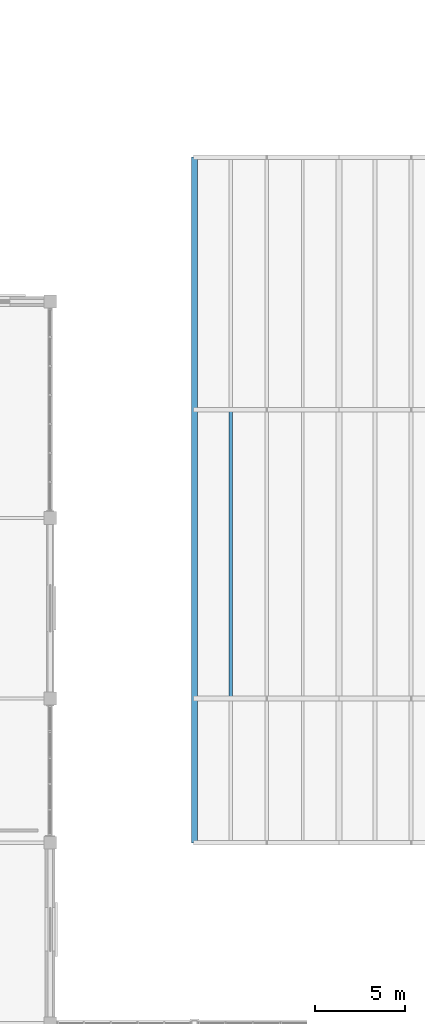
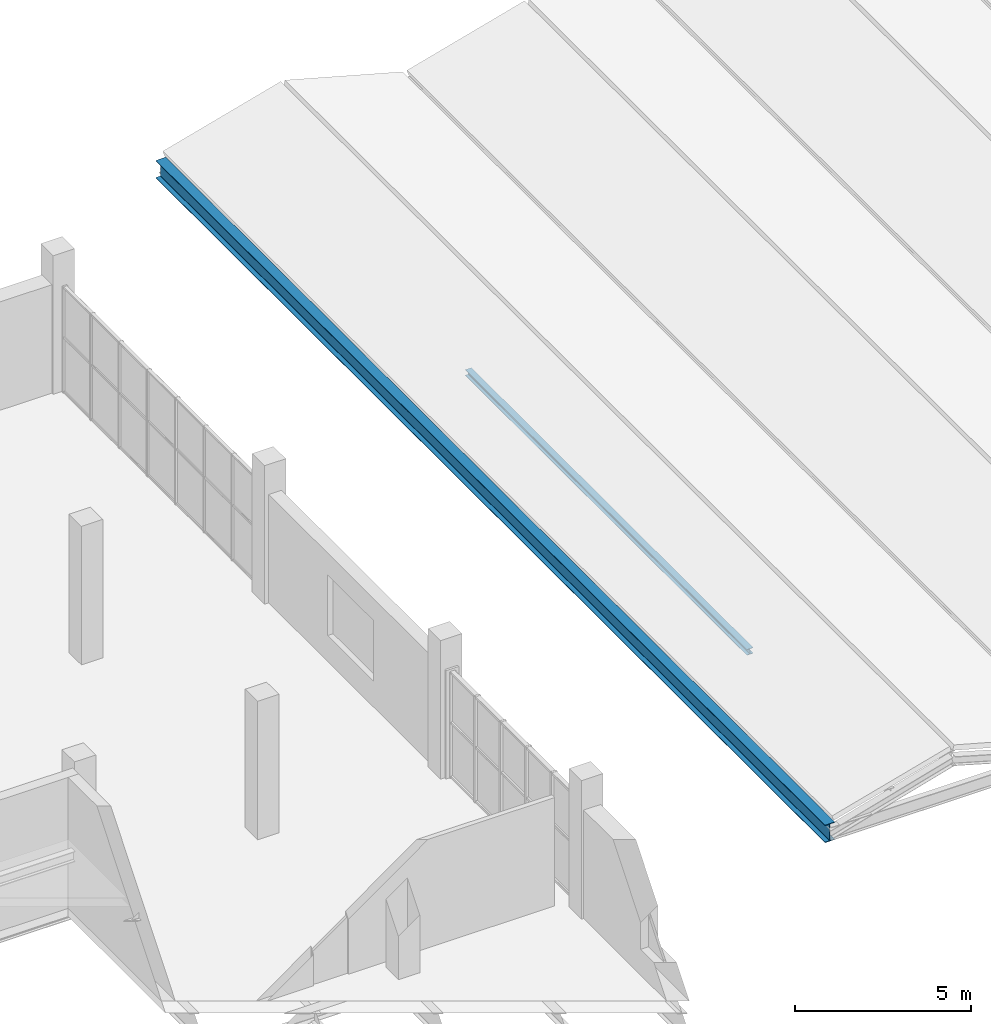
# One storey, part 60 of 114: 1 beam, 1 member.
"""IFC4 building model written with IfcOpenShell, lengths in metres."""

from ifc_helpers import new_model, si_unit, direction, frame, origin, origin_2d, place, context, subcontext, project, spatial, i_section, extrude, material, material_profile, profile_set, type_object, element, save


model = new_model("IFC4")

# Units and contexts
model_context = context("Model", 3, precision=1e-05, world=origin(), true_north=direction((0.0, 1.0)))
body_context = subcontext(model_context, "Body", "Model", "MODEL_VIEW")
ifc_project = project(units=[si_unit("LENGTHUNIT", "METRE"), si_unit("AREAUNIT", "SQUARE_METRE"), si_unit("VOLUMEUNIT", "CUBIC_METRE"), si_unit("PLANEANGLEUNIT", "RADIAN"), si_unit("MASSUNIT", "GRAM", prefix="KILO")], contexts=[model_context])

# Site, building, storey
site_placement = place(None, origin())
site = spatial("IfcSite", under=ifc_project, at=site_placement, CompositionType="ELEMENT")
building_placement = place(site_placement, origin())
building = spatial("IfcBuilding", under=site, at=building_placement, Name="Verrall Gate Interchange", CompositionType="ELEMENT")
storey_placement = place(building_placement, frame((0.0, 0.0, 6.60009765625)))
storey = spatial("IfcBuildingStorey", under=building, at=storey_placement, Name="L02", CompositionType="ELEMENT", Elevation=6.60009765625)

# Beam
ifc_material_1 = material(Name="Structural Steel CSA G40.21 350WT Cat 4", Category="steel")
ifc_material_profile_1 = material_profile(ifc_material_1, i_section(OverallWidth=0.323974609375, OverallDepth=0.611083984375, WebThickness=0.0126953125, FlangeThickness=0.01904296875, FilletRadius=0.014892578125, at=origin_2d()), Name="W610x155")
ifc_profile_set_1 = profile_set([ifc_material_profile_1], Name="Structural Steel CSA G40.21 350WT Cat 4")
beam_type = type_object("IfcBeamType", Name="B-08 Structural Beam W610x155", PredefinedType="BEAM", material=ifc_profile_set_1)
beam_placement = place(storey_placement, frame((44.0, 66.0, -0.126708984375), z_axis=(0.0, 1.0, 0.0), x_axis=(-1.0, 0.0, 0.0)))
element("IfcBeam", 1, at=beam_placement, inside=storey, type_object=beam_type, Name="Bus Roof Valley Girder X=44", PredefinedType="BEAM", context=body_context, shape_type="SweptSolid", body=[
    extrude(i_section(OverallWidth=0.323974609375, OverallDepth=0.611083984375, WebThickness=0.0126953125, FlangeThickness=0.01904296875, FilletRadius=0.014892578125, at=origin_2d()), origin(), (0.0, 0.0, 1.0), 38.0),
])

# Member
ifc_material_2 = material(Name="Structural Steel CSA G40.21 350WT Cat 4", Category="steel")
ifc_material_profile_2 = material_profile(ifc_material_2, i_section(OverallWidth=0.202880859375, OverallDepth=0.202880859375, WebThickness=0.007080078125, FlangeThickness=0.010986328125, FilletRadius=0.010009765625, at=origin_2d()), Name="W200x46")
ifc_profile_set_2 = profile_set([ifc_material_profile_2], Name="Structural Steel CSA G40.21 350WT Cat 4")
member_type = type_object("IfcMemberType", Name="PR-02 Roof Purlin W200x46", PredefinedType="PURLIN", material=ifc_profile_set_2)
member_placement = place(storey_placement, frame((46.0, 74.0, 0.59326171875), z_axis=(0.0, 1.0, 0.0), x_axis=(-1.0, 0.0, 0.0)))
element("IfcMember", 2, at=member_placement, inside=storey, type_object=member_type, Name="Bus Roof Purlin W 1.74", PredefinedType="PURLIN", context=body_context, shape_type="SweptSolid", body=[
    extrude(i_section(OverallWidth=0.202880859375, OverallDepth=0.202880859375, WebThickness=0.007080078125, FlangeThickness=0.010986328125, FilletRadius=0.010009765625, at=origin_2d()), origin(), (0.0, 0.0, 1.0), 16.0),
])

save(model, "model.ifc")
